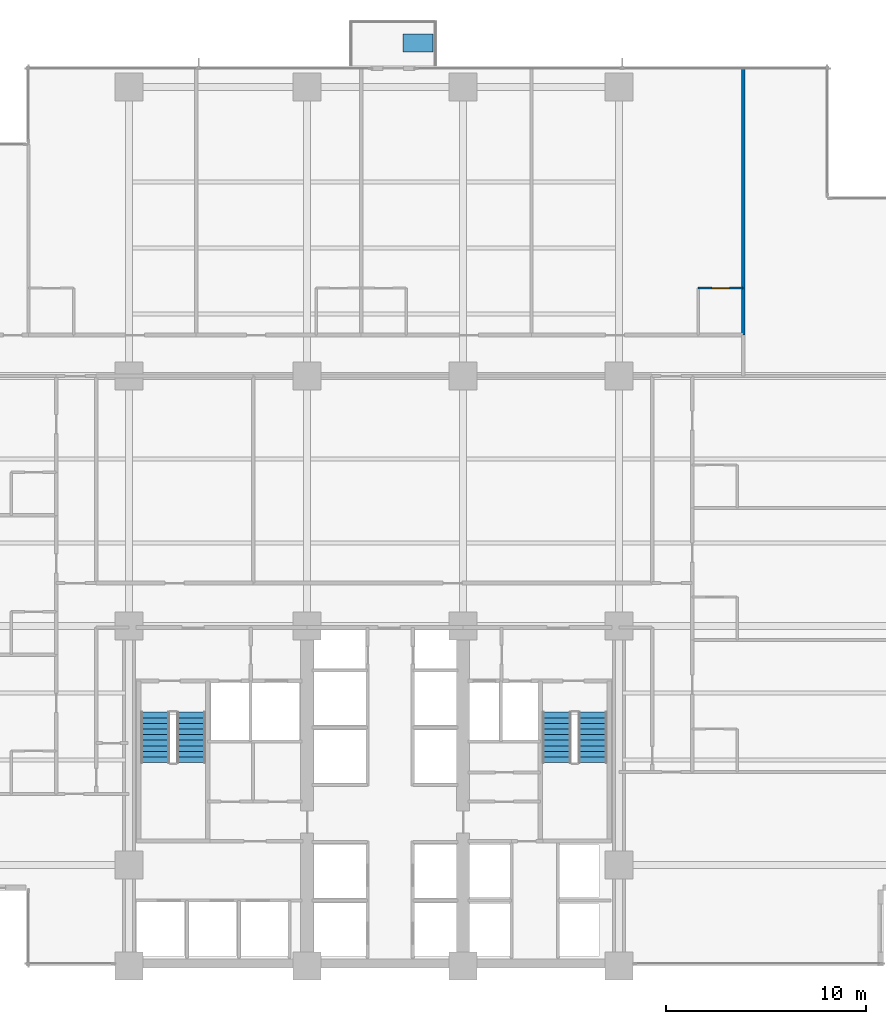
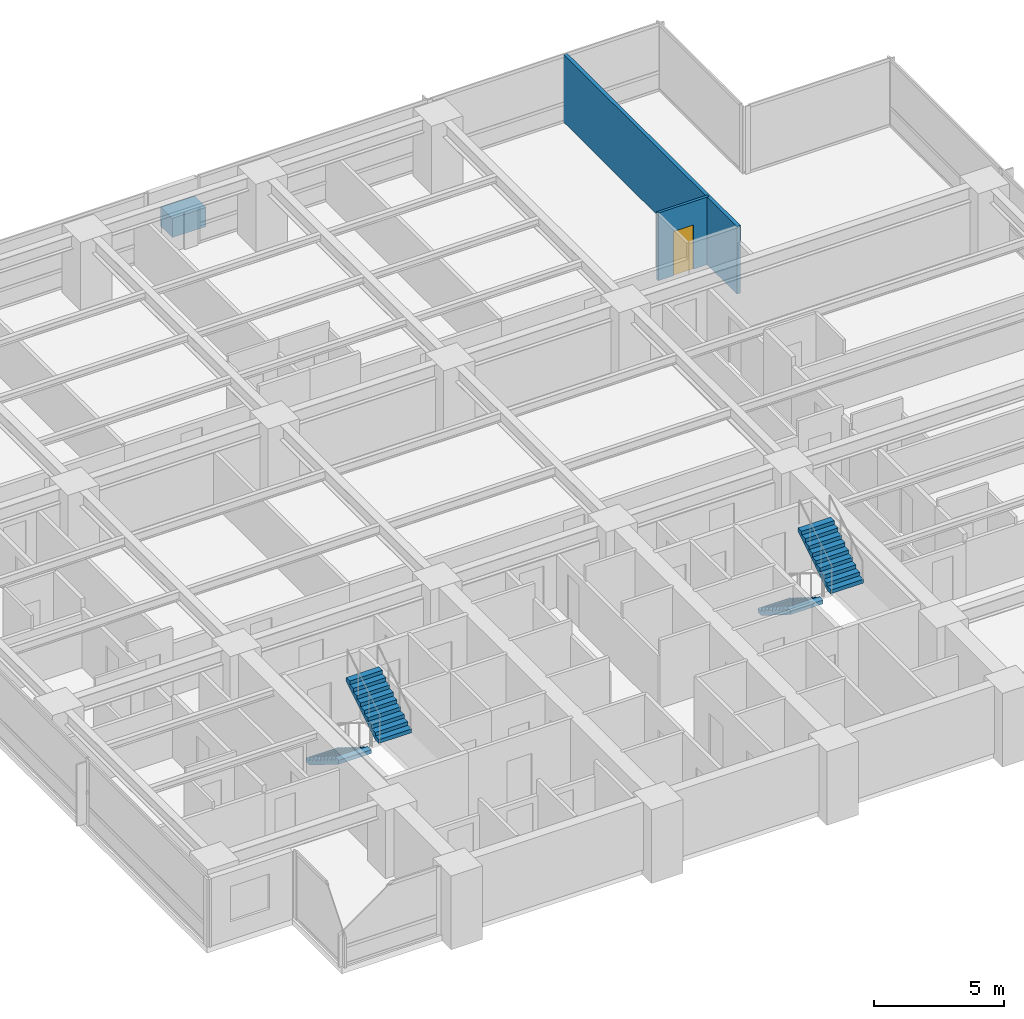
# One storey, part 11 of 16: 4 stair flights, 2 walls, 1 discrete accessory, 1 door, 1 opening, 2 elements without a shape of their own.
"""IFC4 building model written with IfcOpenShell, lengths in metres."""

from ifc_helpers import new_model, si_unit, direction, frame, frame_2d, origin, place, context, subcontext, project, spatial, polyline, rectangle, outline, extrude, material, layer, layer_set, type_object, element, fill, aggregate, save


model = new_model("IFC4")

# Units and contexts
model_context = context("Model", 3, precision=1e-05, world=origin(), true_north=direction((0.0, 1.0)))
body_context = subcontext(model_context, "Body", "Model", "MODEL_VIEW")
ifc_project = project(units=[si_unit("LENGTHUNIT", "METRE"), si_unit("AREAUNIT", "SQUARE_METRE"), si_unit("VOLUMEUNIT", "CUBIC_METRE"), si_unit("PLANEANGLEUNIT", "RADIAN"), si_unit("MASSUNIT", "GRAM", prefix="KILO")], contexts=[model_context])

# Site, building, storey
site_placement = place(None, origin())
site = spatial("IfcSite", under=ifc_project, at=site_placement, CompositionType="ELEMENT")
building_placement = place(site_placement, origin())
building = spatial("IfcBuilding", under=site, at=building_placement, Name="Qalmaran Belvedere Hotel", CompositionType="ELEMENT")
storey_placement = place(building_placement, frame((0.0, 0.0, 71.89990234375)))
storey = spatial("IfcBuildingStorey", under=building, at=storey_placement, Name="L18", CompositionType="ELEMENT", Elevation=71.89990234375)

# Wall, opening, door
ifc_material_1 = material(Name="Moisture-Resistant Gypsum")
ifc_layer_1 = layer(ifc_material_1, 0.1201171875, Name="Moisture-Resistant Gypsum")
ifc_layer_set_1 = layer_set([ifc_layer_1], Name="Moisture-Resistant Gypsum")
wall_type_1 = type_object("IfcWallType", Name="WL-INT-120-BATH", PredefinedType="PARTITIONING", material=ifc_layer_set_1)
wall_1_placement = place(storey_placement, frame((48.75, 37.39990234375, 0.0), z_axis=(0.0, 0.0, 1.0), x_axis=(1.0, 0.0, 0.0)))
wall_1 = element("IfcWall", 1, at=wall_1_placement, inside=storey, type_object=wall_type_1, Name="L18 Partition WL-L18-NBN03", PredefinedType="PARTITIONING", context=body_context, shape_type="SweptSolid", body=[
    extrude(rectangle(XDim=2.25, YDim=0.1201171875, at=frame_2d((1.125, 0.0))), origin(), (0.0, 0.0, 1.0), 3.18017578125),
])
opening_placement = place(wall_1_placement, frame((1.56494140625, 0.0, 0.0), z_axis=(0.0, 0.0, 1.0), x_axis=(-1.0, 0.0, 0.0)))
opening = element("IfcOpeningElement", 2, at=opening_placement, cuts=wall_1, Name="Opening D-BATH", PredefinedType="OPENING", context=body_context, shape_type="SweptSolid", body=[
    extrude(rectangle(XDim=0.8798828125, YDim=2.080078125, at=frame_2d((0.43994140625, 1.0400390625))), frame((0.0, 0.070068359375, 0.0), z_axis=(0.0, -1.0, 0.0), x_axis=(1.0, 0.0, 0.0)), (0.0, 0.0, 1.0), 0.14013671875),
])
ifc_material_2 = material(Name="Engineered Oak Veneer")
door_type = type_object("IfcDoorType", Name="DR-INT-BATH-880X2080", OperationType="NOTDEFINED", PredefinedType="DOOR", material=ifc_material_2)
door_placement = place(opening_placement, origin())
door = element("IfcDoor", 3, at=door_placement, inside=storey, type_object=door_type, Name="L18 Ensuite Bathroom Door N04", OperationType="SINGLE_SWING_RIGHT", OverallHeight=2.080078125, OverallWidth=0.8798828125, PredefinedType="DOOR", context=body_context, shape_type="SweptSolid", body=[
    extrude(rectangle(XDim=0.8798828125, YDim=2.080078125, at=frame_2d((0.43994140625, 1.0400390625))), frame((0.0, 0.02490234375, 0.0), z_axis=(0.0, -1.0, 0.0), x_axis=(1.0, 0.0, 0.0)), (0.0, 0.0, 1.0), 0.050048828125),
])
fill(opening, door)

# Wall
ifc_material_3 = material(Name="Gypsum Stud Partition")
ifc_layer_2 = layer(ifc_material_3, 0.159912109375, Name="Gypsum Stud Partition")
ifc_layer_set_2 = layer_set([ifc_layer_2], Name="Gypsum Stud Partition")
wall_type_2 = type_object("IfcWallType", Name="WL-INT-160-EI60", PredefinedType="PARTITIONING", material=ifc_layer_set_2)
wall_2_placement = place(storey_placement, frame((51.0, 35.050048828125, 0.0), z_axis=(0.0, 0.0, 1.0), x_axis=(0.0, 1.0, 0.0)))
element("IfcWall", 4, at=wall_2_placement, inside=storey, type_object=wall_type_2, Name="L18 Partition WL-L18-NUR03", PredefinedType="PARTITIONING", context=body_context, shape_type="SweptSolid", body=[
    extrude(rectangle(XDim=13.329833984375, YDim=0.159912109375, at=frame_2d((6.6650390625, 0.0))), origin(), (0.0, 0.0, 1.0), 3.18017578125),
])

# Stair, stair flights
ifc_material_4 = material(Name="Concrete C40/50", Category="concrete")
stair_type_1 = type_object("IfcStairType", Name="STR-ST-1-1450-R1750", PredefinedType="HALF_TURN_STAIR", material=ifc_material_4)
stair_1_placement = place(storey_placement, origin())
stair_1 = element("IfcStair", 5, at=stair_1_placement, inside=storey, type_object=stair_type_1, Name="L18 West Core Exit Stair ST-1", PredefinedType="HALF_TURN_STAIR")
ifc_layer_3 = layer(ifc_material_4, 0.14990234375, Name="Concrete C40/50")
ifc_layer_set_3 = layer_set([ifc_layer_3], Name="Concrete C40/50")
stair_flight_type_1 = type_object("IfcStairFlightType", Name="STF-ST-1-1450-R1750", PredefinedType="STRAIGHT", material=ifc_layer_set_3)
stair_flight_1_placement = place(storey_placement, frame((21.60498046875, 16.18994140625, 0.0), z_axis=(0.0, 0.0, 1.0), x_axis=(0.0, -1.0, 0.0)))
stair_flight_1 = element("IfcStairFlight", 6, at=stair_flight_1_placement, type_object=stair_flight_type_1, Name="ST-1 flight 1", NumberOfRisers=10, NumberOfTreads=9, PredefinedType="STRAIGHT", RiserHeight=0.175, TreadLength=0.28, context=body_context, shape_type="SweptSolid", body=[
    extrude(outline(polyline([(0.0, 0.0), (0.0, 0.175048828125), (0.280029296875, 0.175048828125), (0.280029296875, 0.35009765625), (0.56005859375, 0.35009765625), (0.56005859375, 0.52490234375), (0.840087890625, 0.52490234375), (0.840087890625, 0.699951171875), (1.1201171875, 0.699951171875), (1.1201171875, 0.875), (1.39990234375, 0.875), (1.39990234375, 1.050048828125), (1.679931640625, 1.050048828125), (1.679931640625, 1.22509765625), (1.9599609375, 1.22509765625), (1.9599609375, 1.39990234375), (2.239990234375, 1.39990234375), (2.239990234375, 1.574951171875), (2.52001953125, 1.574951171875), (2.52001953125, 1.75), (2.52001953125, 1.398193359375), (0.28271484375, 0.0), (0.0, 0.0)])), frame((0.0, 0.72509765625, 0.0), z_axis=(0.0, -1.0, 0.0), x_axis=(1.0, 0.0, 0.0)), (0.0, 0.0, 1.0), 1.449951171875),
])
stair_flight_2_placement = place(storey_placement, frame((23.39501953125, 13.669921875, 1.75), z_axis=(0.0, 0.0, 1.0), x_axis=(0.0, 1.0, 0.0)))
stair_flight_2 = element("IfcStairFlight", 7, at=stair_flight_2_placement, type_object=stair_flight_type_1, Name="ST-1 flight 2", NumberOfRisers=10, NumberOfTreads=9, PredefinedType="STRAIGHT", RiserHeight=0.175, TreadLength=0.28, context=body_context, shape_type="SweptSolid", body=[
    extrude(outline(polyline([(0.0, 0.0), (0.0, 0.175048828125), (0.280029296875, 0.175048828125), (0.280029296875, 0.35009765625), (0.56005859375, 0.35009765625), (0.56005859375, 0.52490234375), (0.840087890625, 0.52490234375), (0.840087890625, 0.699951171875), (1.1201171875, 0.699951171875), (1.1201171875, 0.875), (1.39990234375, 0.875), (1.39990234375, 1.050048828125), (1.679931640625, 1.050048828125), (1.679931640625, 1.22509765625), (1.9599609375, 1.22509765625), (1.9599609375, 1.39990234375), (2.239990234375, 1.39990234375), (2.239990234375, 1.574951171875), (2.52001953125, 1.574951171875), (2.52001953125, 1.75), (2.52001953125, 1.398193359375), (0.28271484375, 0.0), (0.0, 0.0)])), frame((0.0, 0.72509765625, 0.0), z_axis=(0.0, -1.0, 0.0), x_axis=(1.0, 0.0, 0.0)), (0.0, 0.0, 1.0), 1.449951171875),
])
aggregate(stair_1, [stair_flight_1, stair_flight_2])

stair_type_2 = type_object("IfcStairType", Name="STR-ST-2-1450-R1750", PredefinedType="HALF_TURN_STAIR", material=ifc_material_4)
stair_2_placement = place(storey_placement, origin())
stair_2 = element("IfcStair", 8, at=stair_2_placement, inside=storey, type_object=stair_type_2, Name="L18 East Core Exit Stair ST-2", PredefinedType="HALF_TURN_STAIR")
ifc_layer_4 = layer(ifc_material_4, 0.14990234375, Name="Concrete C40/50")
ifc_layer_set_4 = layer_set([ifc_layer_4], Name="Concrete C40/50")
stair_flight_type_2 = type_object("IfcStairFlightType", Name="STF-ST-2-1450-R1750", PredefinedType="STRAIGHT", material=ifc_layer_set_4)
stair_flight_3_placement = place(storey_placement, frame((41.68505859375, 16.18994140625, 0.0), z_axis=(0.0, 0.0, 1.0), x_axis=(0.0, -1.0, 0.0)))
stair_flight_3 = element("IfcStairFlight", 9, at=stair_flight_3_placement, type_object=stair_flight_type_2, Name="ST-2 flight 1", NumberOfRisers=10, NumberOfTreads=9, PredefinedType="STRAIGHT", RiserHeight=0.175, TreadLength=0.28, context=body_context, shape_type="SweptSolid", body=[
    extrude(outline(polyline([(0.0, 0.0), (0.0, 0.175048828125), (0.280029296875, 0.175048828125), (0.280029296875, 0.35009765625), (0.56005859375, 0.35009765625), (0.56005859375, 0.52490234375), (0.840087890625, 0.52490234375), (0.840087890625, 0.699951171875), (1.1201171875, 0.699951171875), (1.1201171875, 0.875), (1.39990234375, 0.875), (1.39990234375, 1.050048828125), (1.679931640625, 1.050048828125), (1.679931640625, 1.22509765625), (1.9599609375, 1.22509765625), (1.9599609375, 1.39990234375), (2.239990234375, 1.39990234375), (2.239990234375, 1.574951171875), (2.52001953125, 1.574951171875), (2.52001953125, 1.75), (2.52001953125, 1.398193359375), (0.28271484375, 0.0), (0.0, 0.0)])), frame((0.0, 0.72509765625, 0.0), z_axis=(0.0, -1.0, 0.0), x_axis=(1.0, 0.0, 0.0)), (0.0, 0.0, 1.0), 1.449951171875),
])
stair_flight_4_placement = place(storey_placement, frame((43.47509765625, 13.669921875, 1.75), z_axis=(0.0, 0.0, 1.0), x_axis=(0.0, 1.0, 0.0)))
stair_flight_4 = element("IfcStairFlight", 10, at=stair_flight_4_placement, type_object=stair_flight_type_2, Name="ST-2 flight 2", NumberOfRisers=10, NumberOfTreads=9, PredefinedType="STRAIGHT", RiserHeight=0.175, TreadLength=0.28, context=body_context, shape_type="SweptSolid", body=[
    extrude(outline(polyline([(0.0, 0.0), (0.0, 0.175048828125), (0.280029296875, 0.175048828125), (0.280029296875, 0.35009765625), (0.56005859375, 0.35009765625), (0.56005859375, 0.52490234375), (0.840087890625, 0.52490234375), (0.840087890625, 0.699951171875), (1.1201171875, 0.699951171875), (1.1201171875, 0.875), (1.39990234375, 0.875), (1.39990234375, 1.050048828125), (1.679931640625, 1.050048828125), (1.679931640625, 1.22509765625), (1.9599609375, 1.22509765625), (1.9599609375, 1.39990234375), (2.239990234375, 1.39990234375), (2.239990234375, 1.574951171875), (2.52001953125, 1.574951171875), (2.52001953125, 1.75), (2.52001953125, 1.398193359375), (0.28271484375, 0.0), (0.0, 0.0)])), frame((0.0, 0.72509765625, 0.0), z_axis=(0.0, -1.0, 0.0), x_axis=(1.0, 0.0, 0.0)), (0.0, 0.0, 1.0), 1.449951171875),
])
aggregate(stair_2, [stair_flight_3, stair_flight_4])

# Discrete accessory
discrete_accessory_type = type_object("IfcDiscreteAccessoryType", Name="PLN-BAL-1500", PredefinedType="USERDEFINED", material=ifc_material_4)
discrete_accessory_placement = place(storey_placement, origin())
element("IfcDiscreteAccessory", 11, at=discrete_accessory_placement, inside=storey, type_object=discrete_accessory_type, Name="L18 Sky Tree Planter", ObjectType="PLANTER", PredefinedType="USERDEFINED", context=body_context, shape_type="SweptSolid", body=[
    extrude(outline(polyline([(34.0, 49.199951171875), (35.5, 49.199951171875), (35.5, 50.10009765625), (34.0, 50.10009765625), (34.0, 49.199951171875)])), origin(), (0.0, 0.0, 1.0), 0.900146484375),
])

save(model, "model.ifc")
